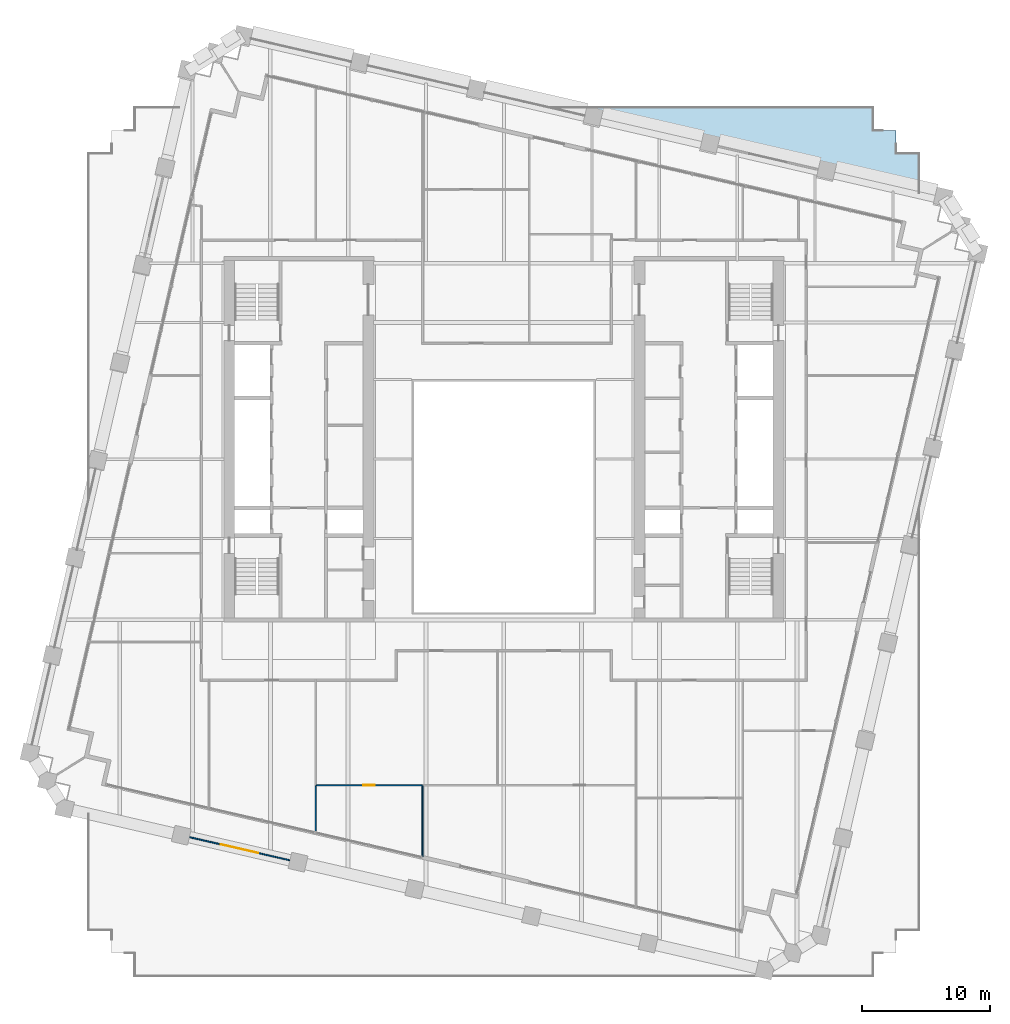
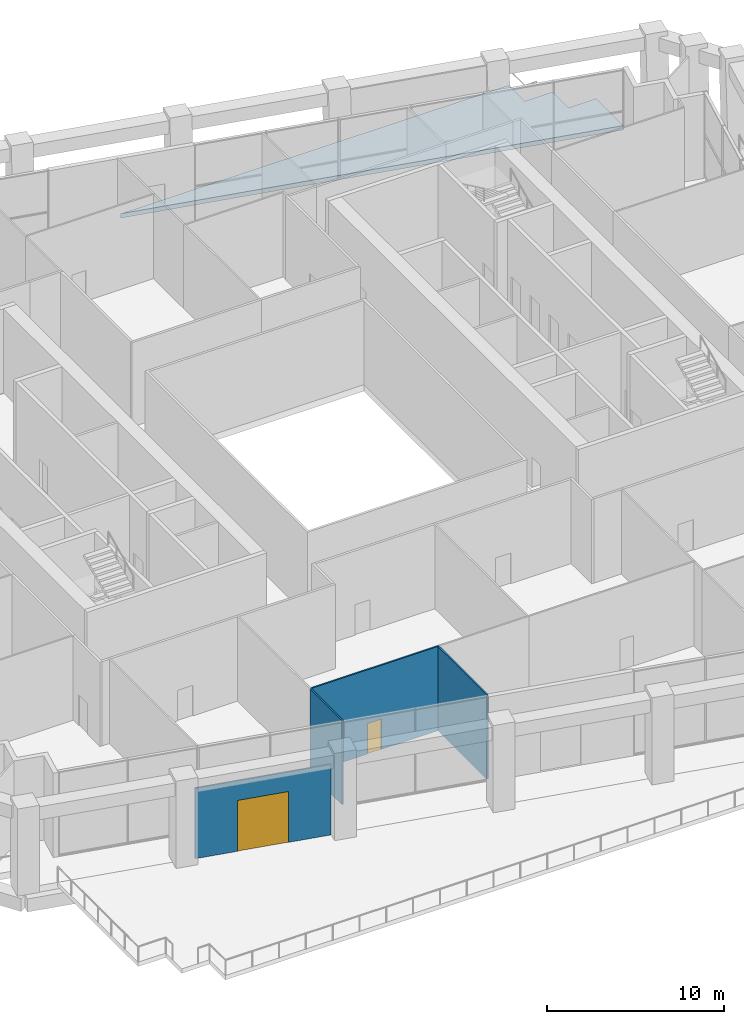
# One storey, part 14 of 23: 4 walls, 2 doors, 1 slab, 2 openings.
"""IFC4 building model written with IfcOpenShell, lengths in metres."""

from ifc_helpers import new_model, si_unit, direction, frame, frame_2d, origin, place, context, subcontext, project, spatial, polyline, rectangle, outline, extrude, material, layer, layer_set, type_object, element, fill, save


model = new_model("IFC4")

# Units and contexts
model_context = context("Model", 3, precision=1e-05, world=origin(), true_north=direction((0.0, 1.0)))
body_context = subcontext(model_context, "Body", "Model", "MODEL_VIEW")
ifc_project = project(units=[si_unit("LENGTHUNIT", "METRE"), si_unit("AREAUNIT", "SQUARE_METRE"), si_unit("VOLUMEUNIT", "CUBIC_METRE"), si_unit("PLANEANGLEUNIT", "RADIAN"), si_unit("MASSUNIT", "GRAM", prefix="KILO")], contexts=[model_context])

# Site, building, storey
site_placement = place(None, origin())
site = spatial("IfcSite", under=ifc_project, at=site_placement, CompositionType="ELEMENT")
building_placement = place(site_placement, origin())
building = spatial("IfcBuilding", under=site, at=building_placement, Name="Ogive Exchange Tower", CompositionType="ELEMENT")
storey_placement = place(building_placement, frame((0.0, 0.0, 99.60009765625)))
storey = spatial("IfcBuildingStorey", under=building, at=storey_placement, Name="L21", CompositionType="ELEMENT", Elevation=99.60009765625)

# Slab
ifc_material_1 = material(Name="Concrete C50/60", Category="concrete")
ifc_layer_1 = layer(ifc_material_1, 0.300048828125)
ifc_layer_set_1 = layer_set([ifc_layer_1], Name="Terrace deck 300")
slab_type = type_object("IfcSlabType", Name="Terrace deck 300", PredefinedType="FLOOR", material=ifc_layer_set_1)
slab_placement = place(storey_placement, frame((0.0, 0.0, -0.300048828125)))
element("IfcSlab", 1, at=slab_placement, inside=storey, type_object=slab_type, Name="Terrace deck", PredefinedType="FLOOR", context=body_context, shape_type="SweptSolid", body=[
    extrude(outline(polyline([(28.800048828125, 35.60009765625), (30.60009765625, 35.60009765625), (30.60009765625, 33.800048828125), (32.39990234375, 33.800048828125), (32.39990234375, 30.732666015625), (5.867431640625, 36.858154296875), (3.5205078125, 37.39990234375), (28.800048828125, 37.39990234375), (28.800048828125, 35.60009765625)])), origin(), (0.0, 0.0, 1.0), 0.300048828125),
])

# Wall, opening, door
ifc_material_2 = material(Name="Laminated safety glass in steel frame", Category="steel")
ifc_layer_2 = layer(ifc_material_2, 0.10009765625)
ifc_layer_set_2 = layer_set([ifc_layer_2], Name="Loggia end screen 100")
wall_type_1 = type_object("IfcWallType", Name="Loggia end screen 100", PredefinedType="STANDARD", material=ifc_layer_set_2)
wall_1_placement = place(storey_placement, frame((-24.518798828125, -19.55224609375, 0.0), z_axis=(0.0, 0.0, 1.0), x_axis=(0.974372699143, -0.224939643383, 0.0)))
wall_1 = element("IfcWall", 2, at=wall_1_placement, inside=storey, type_object=wall_type_1, Name="Terrace screen S01", PredefinedType="STANDARD", context=body_context, shape_type="SweptSolid", body=[
    extrude(rectangle(XDim=8.010009765625, YDim=0.10009765625, at=frame_2d((4.0048828125, 0.0))), origin(), (0.0, 0.0, 1.0), 4.849853515625),
])
opening_1_placement = place(wall_1_placement, frame((2.5048828125, 0.0, 0.0)))
opening_1 = element("IfcOpeningElement", 3, at=opening_1_placement, cuts=wall_1, Name="Opening D4", PredefinedType="OPENING", context=body_context, shape_type="SweptSolid", body=[
    extrude(rectangle(XDim=3.0, YDim=3.5, at=frame_2d((1.5, 1.75))), frame((0.0, 0.06005859375, 0.0), z_axis=(0.0, -1.0, 0.0), x_axis=(1.0, 0.0, 0.0)), (0.0, 0.0, 1.0), 0.1201171875),
])
ifc_material_3 = material(Name="Clear glass in bronze frame", Category="glass")
door_type_1 = type_object("IfcDoorType", Name="Terrace sliding door 3000 x 3500", OperationType="DOUBLE_DOOR_SLIDING", PredefinedType="DOOR", material=ifc_material_3)
door_1_placement = place(opening_1_placement, origin())
door_1 = element("IfcDoor", 4, at=door_1_placement, inside=storey, type_object=door_type_1, Name="Terrace door S01", OperationType="DOUBLE_DOOR_SLIDING", OverallHeight=3.5, OverallWidth=3.0, PredefinedType="DOOR", context=body_context, shape_type="SweptSolid", body=[
    extrude(rectangle(XDim=3.0, YDim=3.5, at=frame_2d((1.5, 1.75))), frame((0.0, 0.02490234375, 0.0), z_axis=(0.0, -1.0, 0.0), x_axis=(1.0, 0.0, 0.0)), (0.0, 0.0, 1.0), 0.050048828125),
])
fill(opening_1, door_1)

# Wall
ifc_material_4 = material(Name="Partition 100 gypsum")
ifc_layer_3 = layer(ifc_material_4, 0.10009765625)
ifc_layer_set_3 = layer_set([ifc_layer_3], Name="Partition 100 gypsum")
wall_type_2 = type_object("IfcWallType", Name="Partition 100 gypsum", PredefinedType="PARTITIONING", material=ifc_layer_set_3)
wall_2_placement = place(storey_placement, frame((-14.669921875, -19.137939453125, 0.0), z_axis=(0.0, 0.0, 1.0), x_axis=(0.0, 1.0, 0.0)))
element("IfcWall", 5, at=wall_2_placement, inside=storey, type_object=wall_type_2, Name="L21-PWL-013", PredefinedType="PARTITIONING", context=body_context, shape_type="SweptSolid", body=[
    extrude(rectangle(XDim=3.587890625, YDim=0.10009765625, at=frame_2d((1.7939453125, 0.0))), origin(), (0.0, 0.0, 1.0), 5.7998046875),
])

# Wall, opening, door
wall_3_placement = place(storey_placement, frame((-6.2900390625, -15.5, 0.0), z_axis=(0.0, 0.0, 1.0), x_axis=(-1.0, 0.0, 0.0)))
wall_3 = element("IfcWall", 6, at=wall_3_placement, inside=storey, type_object=wall_type_2, Name="L21-PWL-021", PredefinedType="PARTITIONING", context=body_context, shape_type="SweptSolid", body=[
    extrude(rectangle(XDim=8.330078125, YDim=0.10009765625, at=frame_2d((4.1650390625, 0.0))), origin(), (0.0, 0.0, 1.0), 5.7998046875),
])
opening_2_placement = place(wall_3_placement, frame((3.780029296875, 0.0, 0.0)))
opening_2 = element("IfcOpeningElement", 7, at=opening_2_placement, cuts=wall_3, Name="Opening L21-I08", PredefinedType="OPENING", context=body_context, shape_type="SweptSolid", body=[
    extrude(rectangle(XDim=0.89990234375, YDim=2.10009765625, at=frame_2d((0.449951171875, 1.050048828125))), frame((0.0, 0.06005859375, 0.0), z_axis=(0.0, -1.0, 0.0), x_axis=(1.0, 0.0, 0.0)), (0.0, 0.0, 1.0), 0.1201171875),
])
ifc_material_5 = material(Name="Door 900 x 2100")
door_type_2 = type_object("IfcDoorType", Name="Door 900 x 2100", OperationType="NOTDEFINED", PredefinedType="DOOR", material=ifc_material_5)
door_2_placement = place(opening_2_placement, origin())
door_2 = element("IfcDoor", 8, at=door_2_placement, inside=storey, type_object=door_type_2, Name="L21-IDR-008", ObjectType="DT1", OperationType="SINGLE_SWING_RIGHT", OverallHeight=2.10009765625, OverallWidth=0.89990234375, PredefinedType="DOOR", context=body_context, shape_type="SweptSolid", body=[
    extrude(rectangle(XDim=0.89990234375, YDim=2.10009765625, at=frame_2d((0.449951171875, 1.050048828125))), frame((0.0, 0.02490234375, 0.0), z_axis=(0.0, -1.0, 0.0), x_axis=(1.0, 0.0, 0.0)), (0.0, 0.0, 1.0), 0.050048828125),
])
fill(opening_2, door_2)

# Wall
wall_4_placement = place(storey_placement, frame((-6.340087890625, -15.550048828125, 0.0), z_axis=(0.0, 0.0, 1.0), x_axis=(0.0, -1.0, 0.0)))
element("IfcWall", 9, at=wall_4_placement, inside=storey, type_object=wall_type_2, Name="L21-PWL-022", PredefinedType="PARTITIONING", context=body_context, shape_type="SweptSolid", body=[
    extrude(rectangle(XDim=5.510986328125, YDim=0.10009765625, at=frame_2d((2.75537109375, 0.0))), origin(), (0.0, 0.0, 1.0), 5.7998046875),
])

save(model, "model.ifc")
